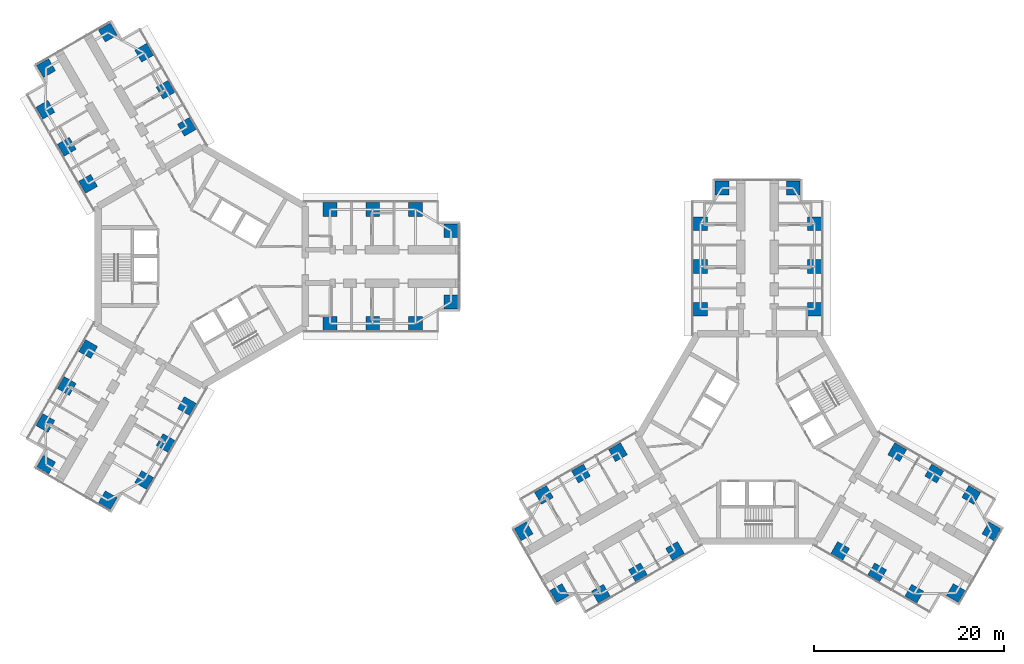
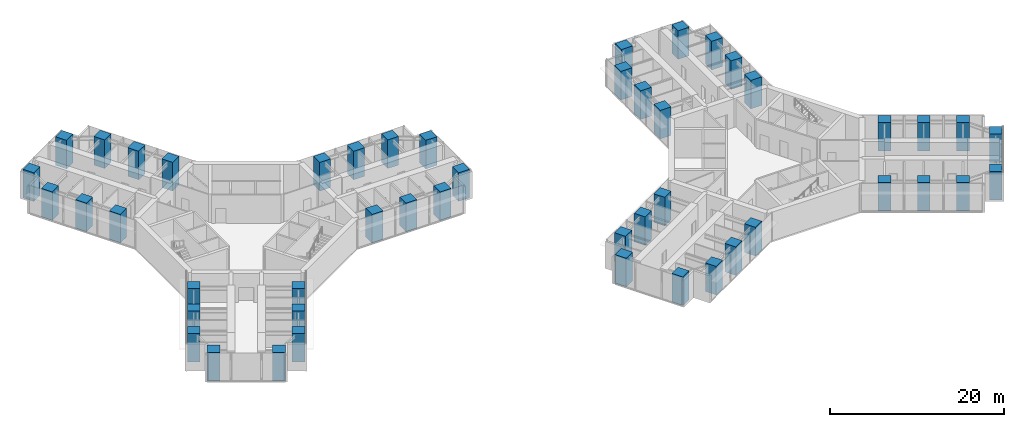
# One storey, part 1 of 24: 48 columns.
"""IFC4 building model written with IfcOpenShell, lengths in metres."""

import ifcopenshell
import ifcopenshell.guid

model = None  # the IFC model being written
_history = None  # IfcOwnerHistory: only IFC2X3 demands one
_inside = {}  # id of a spatial element -> (the spatial element, [elements in it])
_under = {}  # id of a project, library or spatial element -> (it, [spatial elements below it])
_declared = {}  # id of a project -> (the project, [libraries it declares])
_typed = {}  # id of a type object -> (the type object, [elements of that type])
_made_of = {}  # id of a material, layer set ... -> (it, [elements and type objects made of it])


def new_model(schema):
    """Start an empty IFC model of exactly this schema.

    Asked for "IFC4X3", IfcOpenShell would pick the latest addendum, in which some entities
    have other attributes; the version numbers below select the first issue.
    IFC2X3 requires an IfcOwnerHistory on every rooted entity: one is made here for all.
    """
    global model, _history
    if schema == "IFC4X3":
        model = ifcopenshell.file(schema_version=(4, 3, 0, 0))
    else:
        model = ifcopenshell.file(schema=schema)
    _inside.clear()
    _under.clear()
    _declared.clear()
    _typed.clear()
    _made_of.clear()
    _history = None
    if model.schema == "IFC2X3":
        org = make("IfcOrganization", Name="unknown")
        user = make(
            "IfcPersonAndOrganization",
            ThePerson=make("IfcPerson", FamilyName="unknown"),
            TheOrganization=org,
        )
        app = make(
            "IfcApplication",
            ApplicationDeveloper=org,
            Version="unknown",
            ApplicationFullName="unknown",
            ApplicationIdentifier="unknown",
        )
        _history = make(
            "IfcOwnerHistory",
            OwningUser=user,
            OwningApplication=app,
            ChangeAction="ADDED",
            CreationDate=0,
        )
    return model


def make(cls, **values):
    """One entity of the class cls with the attributes given. An attribute that is None is left unset."""
    return model.create_entity(
        cls, **{name: value for name, value in values.items() if value is not None}
    )


def rooted(cls, **values):
    """An entity with a GlobalId (a new one), such as an element, a storey or a relation."""
    return make(cls, GlobalId=ifcopenshell.guid.new(), OwnerHistory=_history, **values)


def si_unit(unit_type, name, prefix=None):
    """IfcSIUnit, for example si_unit("LENGTHUNIT", "METRE", prefix="MILLI")."""
    return make("IfcSIUnit", UnitType=unit_type, Prefix=prefix, Name=name)


def assignment(units):
    """IfcUnitAssignment: the units of a project."""
    return None if units is None else make("IfcUnitAssignment", Units=units)


def point(xyz):
    """IfcCartesianPoint."""
    return None if xyz is None else make("IfcCartesianPoint", Coordinates=xyz)


def direction(xyz):
    """IfcDirection."""
    return None if xyz is None else make("IfcDirection", DirectionRatios=xyz)


def frame(location, z_axis=None, x_axis=None):
    """IfcAxis2Placement3D, a coordinate frame: its origin and axes. An axis left out is left unset."""
    return make(
        "IfcAxis2Placement3D",
        Location=point(location),
        Axis=direction(z_axis),
        RefDirection=direction(x_axis),
    )


def frame_2d(location, x_axis=None):
    """IfcAxis2Placement2D, a coordinate frame in the plane: its origin and x axis."""
    return make(
        "IfcAxis2Placement2D", Location=point(location), RefDirection=direction(x_axis)
    )


def origin():
    """The frame at (0, 0, 0) with its axes left unset."""
    return frame((0.0, 0.0, 0.0))


def origin_2d():
    """The frame at (0, 0) in the plane with its x axis left unset."""
    return frame_2d((0.0, 0.0))


def place(relative_to, where):
    """IfcLocalPlacement: puts the frame where relative to a parent placement (None: the world)."""
    return make(
        "IfcLocalPlacement", PlacementRelTo=relative_to, RelativePlacement=where
    )


def context(
    kind, dimensions, precision=None, world=None, true_north=None, identifier=None
):
    """IfcGeometricRepresentationContext, for example the 3D "Model" context."""
    return make(
        "IfcGeometricRepresentationContext",
        ContextIdentifier=identifier,
        ContextType=kind,
        CoordinateSpaceDimension=dimensions,
        Precision=precision,
        WorldCoordinateSystem=world,
        TrueNorth=true_north,
    )


def subcontext(parent, identifier, kind, view, scale=None):
    """IfcGeometricRepresentationSubContext, for example "Body" below "Model"."""
    return make(
        "IfcGeometricRepresentationSubContext",
        ContextIdentifier=identifier,
        ContextType=kind,
        ParentContext=parent,
        TargetScale=scale,
        TargetView=view,
    )


def project(units=None, contexts=None):
    """IfcProject with its units and contexts."""
    return rooted(
        "IfcProject",
        Name="project",
        RepresentationContexts=contexts,
        UnitsInContext=assignment(units),
    )


def spatial(cls, under=None, at=None, **own):
    """A site, building, storey or space (cls), placed at a placement, below another one or the project."""
    s = rooted(cls, ObjectPlacement=at, **own)
    if under is not None:
        _under.setdefault(under.id(), (under, []))[1].append(s)
    return s


def profile(cls, at=None, kind="AREA", **sizes):
    """A parametric profile (cls). Its sizes go by their IFC names, for example OverallWidth=200.0."""
    return make(cls, ProfileType=kind, Position=at, **sizes)


def rectangle(**sizes):
    """IfcRectangleProfileDef."""
    return profile("IfcRectangleProfileDef", **sizes)


def extrude(swept, where, along, depth):
    """IfcExtrudedAreaSolid: the profile swept, set in the frame where, extruded along a direction by depth."""
    return make(
        "IfcExtrudedAreaSolid",
        SweptArea=swept,
        Position=where,
        ExtrudedDirection=direction(along),
        Depth=depth,
    )


def shape(context_of_items, identifier, shape_type, items):
    """IfcShapeRepresentation: the items that make up one representation, for example the "Body"."""
    return make(
        "IfcShapeRepresentation",
        ContextOfItems=context_of_items,
        RepresentationIdentifier=identifier,
        RepresentationType=shape_type,
        Items=items,
    )


def material(Name=None, Category=None):
    """IfcMaterial."""
    return make("IfcMaterial", Name=Name, Category=Category)


def material_profile(
    of_material, cross_section, Name=None, Category=None, Priority=None
):
    """IfcMaterialProfile: a cross section and its material."""
    return make(
        "IfcMaterialProfile",
        Name=Name,
        Material=of_material,
        Profile=cross_section,
        Priority=Priority,
        Category=Category,
    )


def profile_set(profiles, Name=None, composite=None):
    """IfcMaterialProfileSet."""
    return make(
        "IfcMaterialProfileSet",
        Name=Name,
        MaterialProfiles=profiles,
        CompositeProfile=composite,
    )


def made_of(thing, what):
    """Note that an element or type object is made of a material, layer set ...; save() writes the relation."""
    if what is not None:
        _made_of.setdefault(what.id(), (what, []))[1].append(thing)
    return thing


def type_object(cls, material=None, **own):
    """A type object (cls), such as IfcWallType, which elements share."""
    return made_of(rooted(cls, **own), material)


def element(
    cls,
    number,
    at=None,
    inside=None,
    cuts=None,
    type_object=None,
    material=None,
    context=None,
    identifier="Body",
    shape_type=None,
    held_by="IfcProductDefinitionShape",
    body=None,
    shapes=None,
    **own,
):
    """One element of the class cls, such as IfcWall. Its Tag is "e" and its number.

    at: its placement. inside: the storey or other place that contains it. cuts: it is an
    opening in that element (IfcRelVoidsElement). A single representation is given by context,
    identifier, shape_type and body (its items); several are given by shapes. held_by: the class
    of the entity that holds the representations. save() writes the other relations.
    """
    e = rooted(cls, Tag="e%d" % number, ObjectPlacement=at, **own)
    if body is not None:
        shapes = [shape(context, identifier, shape_type, body)]
    if shapes is not None:
        e.Representation = make(held_by, Representations=shapes)
    if inside is not None:
        _inside.setdefault(inside.id(), (inside, []))[1].append(e)
    if cuts is not None:
        rooted(
            "IfcRelVoidsElement", RelatingBuildingElement=cuts, RelatedOpeningElement=e
        )
    if type_object is not None:
        _typed.setdefault(type_object.id(), (type_object, []))[1].append(e)
    return made_of(e, material)


def aggregate(whole, parts):
    """IfcRelAggregates: a whole, such as a stair, and the parts it consists of."""
    return rooted("IfcRelAggregates", RelatingObject=whole, RelatedObjects=parts)


def save(model, path):
    """Write the relations noted so far, then the file.

    IfcRelAggregates (storeys below a building ...), IfcRelContainedInSpatialStructure (elements
    in a storey), IfcRelDefinesByType, IfcRelAssociatesMaterial and IfcRelDeclares: one each for
    every whole, place, type object, material and project.
    """
    for whole, parts in _under.values():
        aggregate(whole, parts)
    for where, things in _inside.values():
        rooted(
            "IfcRelContainedInSpatialStructure",
            RelatedElements=things,
            RelatingStructure=where,
        )
    for kind, things in _typed.values():
        rooted("IfcRelDefinesByType", RelatedObjects=things, RelatingType=kind)
    for what, things in _made_of.values():
        rooted("IfcRelAssociatesMaterial", RelatedObjects=things, RelatingMaterial=what)
    for by, libraries in _declared.values():
        rooted("IfcRelDeclares", RelatingContext=by, RelatedDefinitions=libraries)
    model.write(path)


model = new_model("IFC4")

# Units and contexts
model_context = context("Model", 3, precision=1e-05, world=origin(), true_north=direction((0.0, 1.0)))
body_context = subcontext(model_context, "Body", "Model", "MODEL_VIEW")
ifc_project = project(units=[si_unit("LENGTHUNIT", "METRE"), si_unit("AREAUNIT", "SQUARE_METRE"), si_unit("VOLUMEUNIT", "CUBIC_METRE"), si_unit("PLANEANGLEUNIT", "RADIAN"), si_unit("MASSUNIT", "GRAM", prefix="KILO")], contexts=[model_context])

# Site, building, storey
site_placement = place(None, origin())
site = spatial("IfcSite", under=ifc_project, at=site_placement, CompositionType="ELEMENT")
building_placement = place(site_placement, origin())
building = spatial("IfcBuilding", under=site, at=building_placement, Name="Upepo Twin Towers", CompositionType="ELEMENT")
storey_placement = place(building_placement, frame((0.0, 0.0, 60.5)))
storey = spatial("IfcBuildingStorey", under=building, at=storey_placement, Name="L14", CompositionType="ELEMENT", Elevation=60.5)

# Columns
ifc_material = material(Name="Concrete C60/75", Category="concrete")
ifc_material_profile = material_profile(ifc_material, rectangle(XDim=1.449951171875, YDim=1.449951171875, at=origin_2d()), Name="RC 1450x1450")
ifc_profile_set = profile_set([ifc_material_profile], Name="Concrete C60/75")
column_type = type_object("IfcColumnType", Name="Tower column RC 1450x1450", PredefinedType="COLUMN", material=ifc_profile_set)
for number, where, z_axis, x_axis, name in (
    (1, (13.5, 6.0, 0.0), (0.0, 0.0, 1.0), (1.0, 0.0, 0.0), "T1 column AL135"),
    (2, (13.5, -6.0, 0.0), (0.0, 0.0, 1.0), (1.0, 0.0, 0.0), "T1 column AR135"),
    (3, (18.0, 6.0, 0.0), (0.0, 0.0, 1.0), (1.0, 0.0, 0.0), "T1 column AL180"),
    (4, (18.0, -6.0, 0.0), (0.0, 0.0, 1.0), (1.0, 0.0, 0.0), "T1 column AR180"),
    (5, (22.5, 6.0, 0.0), (0.0, 0.0, 1.0), (1.0, 0.0, 0.0), "T1 column AL225"),
    (6, (22.5, -6.0, 0.0), (0.0, 0.0, 1.0), (1.0, 0.0, 0.0), "T1 column AR225"),
    (7, (26.25, 3.75, 0.0), (0.0, 0.0, 1.0), (1.0, 0.0, 0.0), "T1 column ALN"),
    (8, (26.25, -3.75, 0.0), (0.0, 0.0, 1.0), (1.0, 0.0, 0.0), "T1 column ARN"),
    (9, (-11.946044921875, 8.69140625, 0.0), (0.0, 0.0, 1.0), (0.866025403784, 0.5, 0.0), "T1 column BL135"),
    (10, (-1.553955078125, 14.69140625, 0.0), (0.0, 0.0, 1.0), (0.866025403784, 0.5, 0.0), "T1 column BR135"),
    (11, (-14.196044921875, 12.58837890625, 0.0), (0.0, 0.0, 1.0), (0.866025403784, 0.5, 0.0), "T1 column BL180"),
    (12, (-3.803955078125, 18.58837890625, 0.0), (0.0, 0.0, 1.0), (0.866025403784, 0.5, 0.0), "T1 column BR180"),
    (13, (-16.446044921875, 16.485595703125, 0.0), (0.0, 0.0, 1.0), (0.866025403784, 0.5, 0.0), "T1 column BL225"),
    (14, (-6.053955078125, 22.485595703125, 0.0), (0.0, 0.0, 1.0), (0.866025403784, 0.5, 0.0), "T1 column BR225"),
    (15, (-16.37255859375, 20.858154296875, 0.0), (0.0, 0.0, 1.0), (0.866025403784, 0.5, 0.0), "T1 column BLN"),
    (16, (-9.87744140625, 24.608154296875, 0.0), (0.0, 0.0, 1.0), (0.866025403784, 0.5, 0.0), "T1 column BRN"),
    (17, (-1.553955078125, -14.69140625, 0.0), (0.0, 0.0, 1.0), (0.5, 0.866025403784, 0.0), "T1 column CL135"),
    (18, (-11.946044921875, -8.69140625, 0.0), (0.0, 0.0, 1.0), (0.5, 0.866025403784, 0.0), "T1 column CR135"),
    (19, (-3.803955078125, -18.58837890625, 0.0), (0.0, 0.0, 1.0), (0.5, 0.866025403784, 0.0), "T1 column CL180"),
    (20, (-14.196044921875, -12.58837890625, 0.0), (0.0, 0.0, 1.0), (0.5, 0.866025403784, 0.0), "T1 column CR180"),
    (21, (-6.053955078125, -22.485595703125, 0.0), (0.0, 0.0, 1.0), (0.5, 0.866025403784, 0.0), "T1 column CL225"),
    (22, (-16.446044921875, -16.485595703125, 0.0), (0.0, 0.0, 1.0), (0.5, 0.866025403784, 0.0), "T1 column CR225"),
    (23, (-9.87744140625, -24.608154296875, 0.0), (0.0, 0.0, 1.0), (0.5, 0.866025403784, 0.0), "T1 column CLN"),
    (24, (-16.37255859375, -20.858154296875, 0.0), (0.0, 0.0, 1.0), (0.5, 0.866025403784, 0.0), "T1 column CRN"),
    (25, (52.5, -4.5, 0.0), (0.0, 0.0, 1.0), (1.0, 0.0, 0.0), "T2 column AL135"),
    (26, (64.5, -4.5, 0.0), (0.0, 0.0, 1.0), (1.0, 0.0, 0.0), "T2 column AR135"),
    (27, (52.5, 0.0, 0.0), (0.0, 0.0, 1.0), (1.0, 0.0, 0.0), "T2 column AL180"),
    (28, (64.5, 0.0, 0.0), (0.0, 0.0, 1.0), (1.0, 0.0, 0.0), "T2 column AR180"),
    (29, (52.5, 4.5, 0.0), (0.0, 0.0, 1.0), (1.0, 0.0, 0.0), "T2 column AL225"),
    (30, (64.5, 4.5, 0.0), (0.0, 0.0, 1.0), (1.0, 0.0, 0.0), "T2 column AR225"),
    (31, (54.75, 8.25, 0.0), (0.0, 0.0, 1.0), (1.0, 0.0, 0.0), "T2 column ALN"),
    (32, (62.25, 8.25, 0.0), (0.0, 0.0, 1.0), (1.0, 0.0, 0.0), "T2 column ARN"),
    (33, (49.80859375, -29.946044921875, 0.0), (0.0, 0.0, 1.0), (0.866025403784, 0.5, 0.0), "T2 column BL135"),
    (34, (43.80859375, -19.553955078125, 0.0), (0.0, 0.0, 1.0), (0.866025403784, 0.5, 0.0), "T2 column BR135"),
    (35, (45.91162109375, -32.196044921875, 0.0), (0.0, 0.0, 1.0), (0.866025403784, 0.5, 0.0), "T2 column BL180"),
    (36, (39.91162109375, -21.803955078125, 0.0), (0.0, 0.0, 1.0), (0.866025403784, 0.5, 0.0), "T2 column BR180"),
    (37, (42.014404296875, -34.446044921875, 0.0), (0.0, 0.0, 1.0), (0.866025403784, 0.5, 0.0), "T2 column BL225"),
    (38, (36.014404296875, -24.053955078125, 0.0), (0.0, 0.0, 1.0), (0.866025403784, 0.5, 0.0), "T2 column BR225"),
    (39, (37.641845703125, -34.37255859375, 0.0), (0.0, 0.0, 1.0), (0.866025403784, 0.5, 0.0), "T2 column BLN"),
    (40, (33.891845703125, -27.87744140625, 0.0), (0.0, 0.0, 1.0), (0.866025403784, 0.5, 0.0), "T2 column BRN"),
    (41, (73.19140625, -19.553955078125, 0.0), (0.0, 0.0, 1.0), (0.5, 0.866025403784, 0.0), "T2 column CL135"),
    (42, (67.19140625, -29.946044921875, 0.0), (0.0, 0.0, 1.0), (0.5, 0.866025403784, 0.0), "T2 column CR135"),
    (43, (77.08837890625, -21.803955078125, 0.0), (0.0, 0.0, 1.0), (0.5, 0.866025403784, 0.0), "T2 column CL180"),
    (44, (71.08837890625, -32.196044921875, 0.0), (0.0, 0.0, 1.0), (0.5, 0.866025403784, 0.0), "T2 column CR180"),
    (45, (80.985595703125, -24.053955078125, 0.0), (0.0, 0.0, 1.0), (0.5, 0.866025403784, 0.0), "T2 column CL225"),
    (46, (74.985595703125, -34.446044921875, 0.0), (0.0, 0.0, 1.0), (0.5, 0.866025403784, 0.0), "T2 column CR225"),
    (47, (83.108154296875, -27.87744140625, 0.0), (0.0, 0.0, 1.0), (0.5, 0.866025403784, 0.0), "T2 column CLN"),
    (48, (79.358154296875, -34.37255859375, 0.0), (0.0, 0.0, 1.0), (0.5, 0.866025403784, 0.0), "T2 column CRN"),
):
    element("IfcColumn", number, at=place(storey_placement, frame(where, z_axis=z_axis, x_axis=x_axis)), inside=storey, type_object=column_type, Name=name, PredefinedType="COLUMN", context=body_context, shape_type="SweptSolid", body=[
        extrude(rectangle(XDim=1.449951171875, YDim=1.449951171875, at=origin_2d()), origin(), (0.0, 0.0, 1.0), 4.0),
    ])

save(model, "model.ifc")
